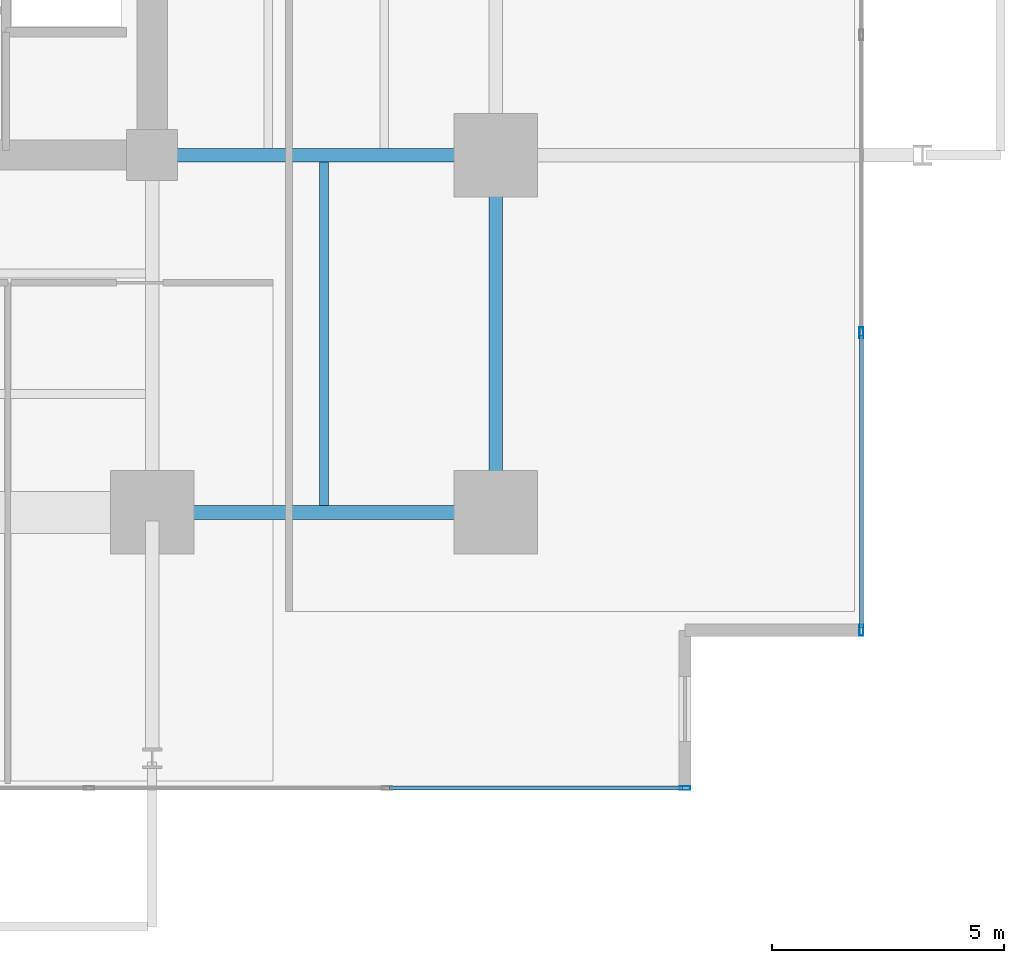
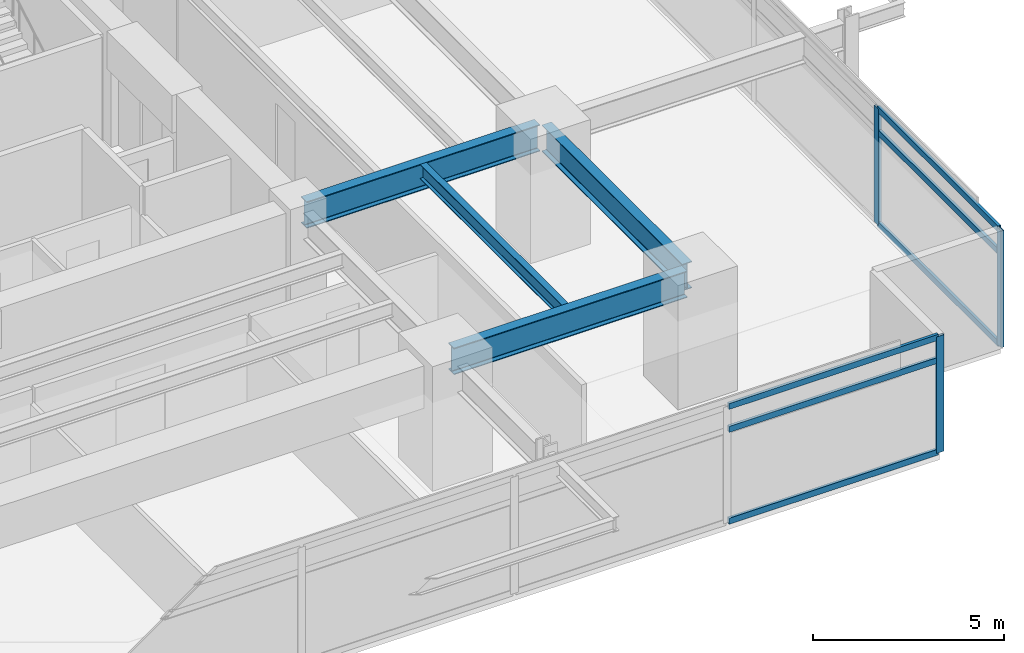
# One storey, part 6 of 19: 9 members, 4 beams, 2 elements without a shape of their own.
"""IFC4 building model written with IfcOpenShell, lengths in metres."""

from ifc_helpers import new_model, si_unit, direction, frame, origin, origin_2d, place, context, subcontext, project, spatial, hollow_rectangle, i_section, extrude, material, material_profile, profile_set, type_object, element, aggregate, save


model = new_model("IFC4")

# Units and contexts
model_context = context("Model", 3, precision=1e-05, world=origin(), true_north=direction((0.0, 1.0)))
body_context = subcontext(model_context, "Body", "Model", "MODEL_VIEW")
ifc_project = project(units=[si_unit("LENGTHUNIT", "METRE"), si_unit("AREAUNIT", "SQUARE_METRE"), si_unit("VOLUMEUNIT", "CUBIC_METRE"), si_unit("PLANEANGLEUNIT", "RADIAN"), si_unit("MASSUNIT", "GRAM", prefix="KILO")], contexts=[model_context])

# Site, building, storey
site_placement = place(None, origin())
site = spatial("IfcSite", under=ifc_project, at=site_placement, CompositionType="ELEMENT")
building_placement = place(site_placement, origin())
building = spatial("IfcBuilding", under=site, at=building_placement, Name="Kovane Verandah Tower", CompositionType="ELEMENT")
storey_placement = place(building_placement, frame((0.0, 0.0, 83.60009765625)))
storey = spatial("IfcBuildingStorey", under=building, at=storey_placement, Name="L19", CompositionType="ELEMENT", Elevation=83.60009765625)

# Beams
ifc_material_1 = material(Name="Steel S355", Category="steel")
ifc_material_profile_1 = material_profile(ifc_material_1, i_section(OverallWidth=0.293701171875, OverallDepth=0.850830078125, WebThickness=0.01611328125, FlangeThickness=0.02685546875, FilletRadius=0.017822265625, at=origin_2d()), Name="UB838x292x226")
ifc_profile_set_1 = profile_set([ifc_material_profile_1], Name="Steel S355")
beam_type_1 = type_object("IfcBeamType", Name="BM-UB838x226", PredefinedType="BEAM", material=ifc_profile_set_1)
beam_1_placement = place(storey_placement, frame((51.179931640625, 10.800048828125, 3.33447265625), z_axis=(1.0, 0.0, 0.0), x_axis=(0.0, 1.0, 0.0)))
element("IfcBeam", 1, at=beam_1_placement, inside=storey, type_object=beam_type_1, Name="L19 Primary Tower Girder G-RS3", PredefinedType="BEAM", context=body_context, shape_type="SweptSolid", body=[
    extrude(i_section(OverallWidth=0.293701171875, OverallDepth=0.850830078125, WebThickness=0.01611328125, FlangeThickness=0.02685546875, FilletRadius=0.017822265625, at=origin_2d()), origin(), (0.0, 0.0, 1.0), 7.0400390625),
])
beam_2_placement = place(storey_placement, frame((58.39990234375, 10.97998046875, 3.33447265625), z_axis=(0.0, 1.0, 0.0), x_axis=(-1.0, 0.0, 0.0)))
element("IfcBeam", 2, at=beam_2_placement, inside=storey, type_object=beam_type_1, Name="L19 Primary Tower Girder G-RE1", PredefinedType="BEAM", context=body_context, shape_type="SweptSolid", body=[
    extrude(i_section(OverallWidth=0.293701171875, OverallDepth=0.850830078125, WebThickness=0.01611328125, FlangeThickness=0.02685546875, FilletRadius=0.017822265625, at=origin_2d()), origin(), (0.0, 0.0, 1.0), 7.340087890625),
])
beam_3_placement = place(storey_placement, frame((51.179931640625, 18.5, 3.33447265625), z_axis=(1.0, 0.0, 0.0), x_axis=(0.0, 1.0, 0.0)))
element("IfcBeam", 3, at=beam_3_placement, inside=storey, type_object=beam_type_1, Name="L19 Primary Tower Girder G-E1", PredefinedType="BEAM", context=body_context, shape_type="SweptSolid", body=[
    extrude(i_section(OverallWidth=0.293701171875, OverallDepth=0.850830078125, WebThickness=0.01611328125, FlangeThickness=0.02685546875, FilletRadius=0.017822265625, at=origin_2d()), origin(), (0.0, 0.0, 1.0), 7.0400390625),
])

# Curtain wall, member
ifc_material_2 = material(Name="Champagne Anodised Aluminium Frame with Low-E Clear Laminated Glass", Category="aluminium")
curtain_wall_type = type_object("IfcCurtainWallType", Name="CW-SYS-02-LOW", PredefinedType="NOTDEFINED", material=ifc_material_2)
curtain_wall_1_placement = place(storey_placement, origin())
curtain_wall_1 = element("IfcCurtainWall", 4, at=curtain_wall_1_placement, inside=storey, type_object=curtain_wall_type, Name="L19 S Unitised Curtain Wall", PredefinedType="NOTDEFINED")
ifc_material_3 = material(Name="Champagne Anodised Aluminium 6063-T6", Category="aluminium")
ifc_material_profile_2 = material_profile(ifc_material_3, hollow_rectangle(XDim=0.0849609375, YDim=0.22998046875, WallThickness=0.00390625, at=origin_2d()), Name="AL85x230x4")
ifc_profile_set_2 = profile_set([ifc_material_profile_2], Name="Champagne Anodised Aluminium 6063-T6")
member_type_1 = type_object("IfcMemberType", Name="CW-MUL-85x230", PredefinedType="MULLION", material=ifc_profile_set_2)
member_1_placement = place(storey_placement, frame((62.484619140625, 4.86083984375, 0.02001953125), z_axis=(0.0, 0.0, 1.0), x_axis=(0.0, -1.0, 0.0)))
member_1 = element("IfcMember", 5, at=member_1_placement, type_object=member_type_1, Name="L19 S Unitised Curtain Wall Mullion 8", PredefinedType="MULLION", context=body_context, shape_type="SweptSolid", body=[
    extrude(hollow_rectangle(XDim=0.0849609375, YDim=0.22998046875, WallThickness=0.00390625, at=origin_2d()), origin(), (0.0, 0.0, 1.0), 3.719970703125),
])

# Curtain wall, members
curtain_wall_2_placement = place(storey_placement, origin())
curtain_wall_2 = element("IfcCurtainWall", 6, at=curtain_wall_2_placement, inside=storey, type_object=curtain_wall_type, Name="L19 E Unitised Curtain Wall", PredefinedType="NOTDEFINED")
member_2_placement = place(storey_placement, frame((66.28466796875, 8.2607421875, 0.02001953125), z_axis=(0.0, 0.0, 1.0), x_axis=(1.0, 0.0, 0.0)))
member_2 = element("IfcMember", 7, at=member_2_placement, type_object=member_type_1, Name="L19 E Unitised Curtain Wall Mullion 1", PredefinedType="MULLION", context=body_context, shape_type="SweptSolid", body=[
    extrude(hollow_rectangle(XDim=0.0849609375, YDim=0.22998046875, WallThickness=0.00390625, at=origin_2d()), origin(), (0.0, 0.0, 1.0), 3.719970703125),
])
member_3_placement = place(storey_placement, frame((66.28466796875, 14.673828125, 0.02001953125), z_axis=(0.0, 0.0, 1.0), x_axis=(1.0, 0.0, 0.0)))
member_3 = element("IfcMember", 8, at=member_3_placement, type_object=member_type_1, Name="L19 E Unitised Curtain Wall Mullion 2", PredefinedType="MULLION", context=body_context, shape_type="SweptSolid", body=[
    extrude(hollow_rectangle(XDim=0.0849609375, YDim=0.22998046875, WallThickness=0.00390625, at=origin_2d()), origin(), (0.0, 0.0, 1.0), 3.719970703125),
])

# Member
ifc_material_profile_3 = material_profile(ifc_material_3, hollow_rectangle(XDim=0.0849609375, YDim=0.18994140625, WallThickness=0.00390625, at=origin_2d()), Name="AL85x190x4")
ifc_profile_set_3 = profile_set([ifc_material_profile_3], Name="Champagne Anodised Aluminium 6063-T6")
member_type_2 = type_object("IfcMemberType", Name="CW-TRN-85x190", PredefinedType="USERDEFINED", material=ifc_profile_set_3)
member_4_placement = place(storey_placement, frame((56.1103515625, 4.86083984375, 0.0498046875), z_axis=(1.0, 0.0, 0.0), x_axis=(0.0, 1.0, 0.0)))
member_4 = element("IfcMember", 9, at=member_4_placement, type_object=member_type_2, Name="L19 S Unitised Curtain Wall Transom TB Bay 7", ObjectType="TRANSOM", PredefinedType="USERDEFINED", context=body_context, shape_type="SweptSolid", body=[
    extrude(hollow_rectangle(XDim=0.0849609375, YDim=0.18994140625, WallThickness=0.00390625, at=origin_2d()), origin(), (0.0, 0.0, 1.0), 6.32421875),
])

member_5_placement = place(storey_placement, frame((56.1103515625, 4.86083984375, 2.97998046875), z_axis=(1.0, 0.0, 0.0), x_axis=(0.0, 1.0, 0.0)))
member_5 = element("IfcMember", 10, at=member_5_placement, type_object=member_type_2, Name="L19 S Unitised Curtain Wall Transom TM Bay 7", ObjectType="TRANSOM", PredefinedType="USERDEFINED", context=body_context, shape_type="SweptSolid", body=[
    extrude(hollow_rectangle(XDim=0.0849609375, YDim=0.18994140625, WallThickness=0.00390625, at=origin_2d()), origin(), (0.0, 0.0, 1.0), 6.32421875),
])

member_6_placement = place(storey_placement, frame((56.1103515625, 4.86083984375, 3.7099609375), z_axis=(1.0, 0.0, 0.0), x_axis=(0.0, 1.0, 0.0)))
member_6 = element("IfcMember", 11, at=member_6_placement, type_object=member_type_2, Name="L19 S Unitised Curtain Wall Transom TT Bay 7", ObjectType="TRANSOM", PredefinedType="USERDEFINED", context=body_context, shape_type="SweptSolid", body=[
    extrude(hollow_rectangle(XDim=0.0849609375, YDim=0.18994140625, WallThickness=0.00390625, at=origin_2d()), origin(), (0.0, 0.0, 1.0), 6.32421875),
])

aggregate(curtain_wall_1, [member_1, member_4, member_5, member_6])

member_7_placement = place(storey_placement, frame((66.28466796875, 8.310791015625, 0.0498046875), z_axis=(0.0, 1.0, 0.0), x_axis=(-1.0, 0.0, 0.0)))
member_7 = element("IfcMember", 12, at=member_7_placement, type_object=member_type_2, Name="L19 E Unitised Curtain Wall Transom TB Bay 1", ObjectType="TRANSOM", PredefinedType="USERDEFINED", context=body_context, shape_type="SweptSolid", body=[
    extrude(hollow_rectangle(XDim=0.0849609375, YDim=0.18994140625, WallThickness=0.00390625, at=origin_2d()), origin(), (0.0, 0.0, 1.0), 6.31298828125),
])

member_8_placement = place(storey_placement, frame((66.28466796875, 8.310791015625, 2.97998046875), z_axis=(0.0, 1.0, 0.0), x_axis=(-1.0, 0.0, 0.0)))
member_8 = element("IfcMember", 13, at=member_8_placement, type_object=member_type_2, Name="L19 E Unitised Curtain Wall Transom TM Bay 1", ObjectType="TRANSOM", PredefinedType="USERDEFINED", context=body_context, shape_type="SweptSolid", body=[
    extrude(hollow_rectangle(XDim=0.0849609375, YDim=0.18994140625, WallThickness=0.00390625, at=origin_2d()), origin(), (0.0, 0.0, 1.0), 6.31298828125),
])

member_9_placement = place(storey_placement, frame((66.28466796875, 8.310791015625, 3.7099609375), z_axis=(0.0, 1.0, 0.0), x_axis=(-1.0, 0.0, 0.0)))
member_9 = element("IfcMember", 14, at=member_9_placement, type_object=member_type_2, Name="L19 E Unitised Curtain Wall Transom TT Bay 1", ObjectType="TRANSOM", PredefinedType="USERDEFINED", context=body_context, shape_type="SweptSolid", body=[
    extrude(hollow_rectangle(XDim=0.0849609375, YDim=0.18994140625, WallThickness=0.00390625, at=origin_2d()), origin(), (0.0, 0.0, 1.0), 6.31298828125),
])

aggregate(curtain_wall_2, [member_2, member_3, member_7, member_8, member_9])

# Beam
ifc_material_profile_4 = material_profile(ifc_material_1, i_section(OverallWidth=0.19287109375, OverallDepth=0.46728515625, WebThickness=0.011474609375, FlangeThickness=0.01953125, FilletRadius=0.01025390625, at=origin_2d()), Name="UB457x191x98")
ifc_profile_set_4 = profile_set([ifc_material_profile_4], Name="Steel S355")
beam_type_2 = type_object("IfcBeamType", Name="JST-UB457x98", PredefinedType="JOIST", material=ifc_profile_set_4)
beam_4_placement = place(storey_placement, frame((54.699951171875, 10.94482421875, 3.5263671875), z_axis=(0.0, 1.0, 0.0), x_axis=(-1.0, 0.0, 0.0)))
element("IfcBeam", 15, at=beam_4_placement, inside=storey, type_object=beam_type_2, Name="L19 Secondary Composite Joist J-SE1", PredefinedType="JOIST", context=body_context, shape_type="SweptSolid", body=[
    extrude(i_section(OverallWidth=0.19287109375, OverallDepth=0.46728515625, WebThickness=0.011474609375, FlangeThickness=0.01953125, FilletRadius=0.01025390625, at=origin_2d()), origin(), (0.0, 0.0, 1.0), 7.41015625),
])

save(model, "model.ifc")
